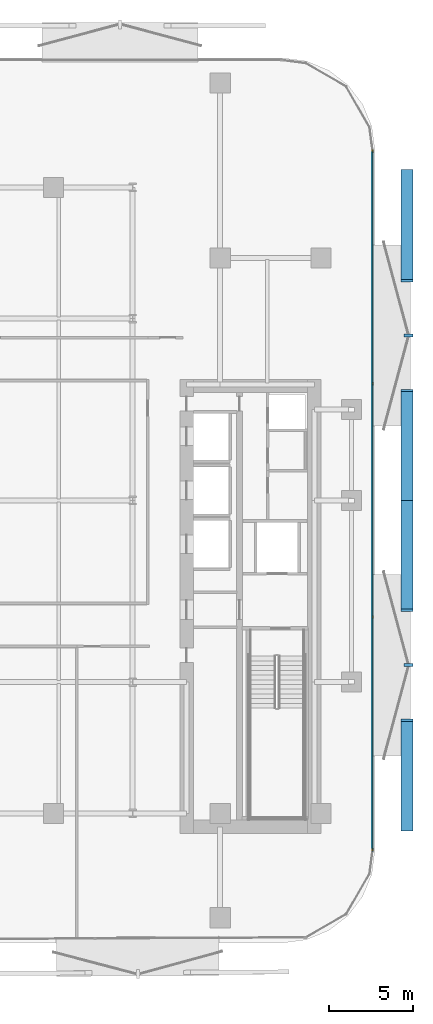
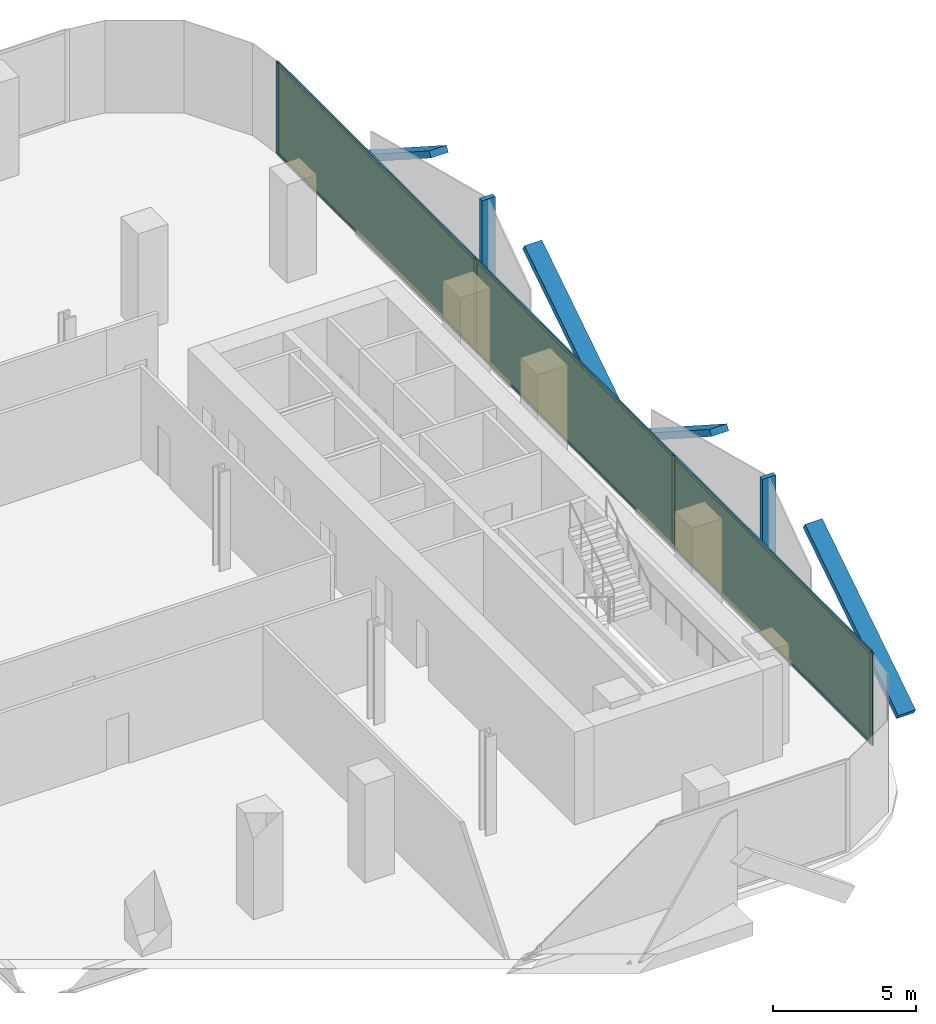
# One storey, part 8 of 14: 16 members, 3 plates, 1 curtain wall.
"""IFC4 building model written with IfcOpenShell, lengths in metres."""

from ifc_helpers import new_model, si_unit, direction, frame, frame_2d, origin, origin_2d, place, context, subcontext, project, spatial, rectangle, extrude, material, layer, layer_set, material_profile, profile_set, type_object, element, aggregate, save


model = new_model("IFC4")

# Units and contexts
model_context = context("Model", 3, precision=1e-05, world=origin(), true_north=direction((0.0, 1.0)))
body_context = subcontext(model_context, "Body", "Model", "MODEL_VIEW")
ifc_project = project(units=[si_unit("LENGTHUNIT", "METRE"), si_unit("AREAUNIT", "SQUARE_METRE"), si_unit("VOLUMEUNIT", "CUBIC_METRE"), si_unit("PLANEANGLEUNIT", "RADIAN"), si_unit("MASSUNIT", "GRAM", prefix="KILO")], contexts=[model_context])

# Member
ifc_material_1 = material(Name="Anodised Bronze Aluminium 6063-T6", Category="aluminium")
ifc_material_profile_1 = material_profile(ifc_material_1, rectangle(XDim=0.260009765625, YDim=0.699951171875, at=origin_2d()))
ifc_profile_set_1 = profile_set([ifc_material_profile_1], Name="Anodised Bronze Aluminium 6063-T6")
member_type_1 = type_object("IfcMemberType", Name="Bronze Diamond Solar-Screen Lattice Rib BDL-700", PredefinedType="MULLION", material=ifc_profile_set_1)
site_placement = place(None, origin())
building_placement = place(site_placement, origin())
storey_placement = place(building_placement, frame((0.0, 0.0, 93.199951171875)))
member_1_placement = place(storey_placement, frame((25.5, 19.5908203125, -0.1298828125), z_axis=(0.0, -0.841066075866, 0.540932395062), x_axis=(0.0, -0.540932395062, -0.841066075866)))
member_1 = element("IfcMember", 1, at=member_1_placement, type_object=member_type_1, Name="L21 Bronze Diamond Solar Screen Lattice Rib 119A", PredefinedType="MULLION", context=body_context, shape_type="SweptSolid", body=[
    extrude(rectangle(XDim=0.260009765625, YDim=0.699951171875, at=origin_2d()), origin(), (0.0, 0.0, 1.0), 7.76416015625),
])

member_2_placement = place(storey_placement, frame((25.5, 0.0, -0.1298828125), z_axis=(0.0, 0.841066075866, 0.540932395062), x_axis=(0.0, 0.540932395062, -0.841066075866)))
member_2 = element("IfcMember", 2, at=member_2_placement, type_object=member_type_1, Name="L21 Bronze Diamond Solar Screen Lattice Rib 119B", PredefinedType="MULLION", context=body_context, shape_type="SweptSolid", body=[
    extrude(rectangle(XDim=0.260009765625, YDim=0.699951171875, at=origin_2d()), origin(), (0.0, 0.0, 1.0), 7.76416015625),
])

member_3_placement = place(storey_placement, frame((25.5, 0.0, -0.1298828125), z_axis=(0.0, -0.841066075866, 0.540932395062), x_axis=(0.0, -0.540932395062, -0.841066075866)))
member_3 = element("IfcMember", 3, at=member_3_placement, type_object=member_type_1, Name="L21 Bronze Diamond Solar Screen Lattice Rib 120A", PredefinedType="MULLION", context=body_context, shape_type="SweptSolid", body=[
    extrude(rectangle(XDim=0.260009765625, YDim=0.699951171875, at=origin_2d()), origin(), (0.0, 0.0, 1.0), 7.76416015625),
])

member_4_placement = place(storey_placement, frame((25.5, -19.5908203125, -0.1298828125), z_axis=(0.0, 0.841066075866, 0.540932395062), x_axis=(0.0, 0.540932395062, -0.841066075866)))
member_4 = element("IfcMember", 4, at=member_4_placement, type_object=member_type_1, Name="L21 Bronze Diamond Solar Screen Lattice Rib 120B", PredefinedType="MULLION", context=body_context, shape_type="SweptSolid", body=[
    extrude(rectangle(XDim=0.260009765625, YDim=0.699951171875, at=origin_2d()), origin(), (0.0, 0.0, 1.0), 7.76416015625),
])

ifc_material_2 = material(Name="Anodised Bronze Aluminium 6063-T6", Category="aluminium")
ifc_material_profile_2 = material_profile(ifc_material_2, rectangle(XDim=0.179931640625, YDim=0.5400390625, at=origin_2d()))
ifc_profile_set_2 = profile_set([ifc_material_profile_2], Name="Anodised Bronze Aluminium 6063-T6")
member_type_2 = type_object("IfcMemberType", Name="Bronze Solar-Screen Vertical Fold Fin BSF-540", PredefinedType="MULLION", material=ifc_profile_set_2)
member_5_placement = place(storey_placement, frame((25.580078125, 9.79541015625, -0.1298828125), z_axis=(0.0, 0.0, 1.0), x_axis=(0.0, -1.0, 0.0)))
member_5 = element("IfcMember", 5, at=member_5_placement, type_object=member_type_2, Name="L21 Bronze Solar Screen Vertical Fin 119", PredefinedType="MULLION", context=body_context, shape_type="SweptSolid", body=[
    extrude(rectangle(XDim=0.179931640625, YDim=0.5400390625, at=origin_2d()), origin(), (0.0, 0.0, 1.0), 4.199951171875),
])

member_6_placement = place(storey_placement, frame((25.580078125, -9.79541015625, -0.1298828125), z_axis=(0.0, 0.0, 1.0), x_axis=(0.0, -1.0, 0.0)))
member_6 = element("IfcMember", 6, at=member_6_placement, type_object=member_type_2, Name="L21 Bronze Solar Screen Vertical Fin 120", PredefinedType="MULLION", context=body_context, shape_type="SweptSolid", body=[
    extrude(rectangle(XDim=0.179931640625, YDim=0.5400390625, at=origin_2d()), origin(), (0.0, 0.0, 1.0), 4.199951171875),
])

ifc_material_3 = material(Name="Anodised Bronze Aluminium 6063-T6", Category="aluminium")
ifc_material_profile_3 = material_profile(ifc_material_3, rectangle(XDim=0.06494140625, YDim=0.175048828125, at=origin_2d()))
ifc_profile_set_3 = profile_set([ifc_material_profile_3], Name="Anodised Bronze Aluminium 6063-T6")
member_type_3 = type_object("IfcMemberType", Name="CW-Z2 Mullion 65x175", PredefinedType="MULLION", material=ifc_profile_set_3)
member_7_placement = place(storey_placement, frame((23.4599609375, 20.75830078125, 0.0), z_axis=(0.0, 0.0, 1.0), x_axis=(1.0, 0.0, 0.0)))
member_7 = element("IfcMember", 7, at=member_7_placement, type_object=member_type_3, Name="CW-Z2 mullion 1", PredefinedType="MULLION", context=body_context, shape_type="SweptSolid", body=[
    extrude(rectangle(XDim=0.06494140625, YDim=0.175048828125, at=origin_2d()), origin(), (0.0, 0.0, 1.0), 3.93994140625),
])

member_8_placement = place(storey_placement, frame((23.4599609375, 6.93017578125, 0.0), z_axis=(0.0, 0.0, 1.0), x_axis=(1.0, 0.0, 0.0)))
member_8 = element("IfcMember", 8, at=member_8_placement, type_object=member_type_3, Name="CW-Z2 mullion 2", PredefinedType="MULLION", context=body_context, shape_type="SweptSolid", body=[
    extrude(rectangle(XDim=0.06494140625, YDim=0.175048828125, at=origin_2d()), origin(), (0.0, 0.0, 1.0), 3.93994140625),
])

member_9_placement = place(storey_placement, frame((23.4599609375, -6.93017578125, 0.0), z_axis=(0.0, 0.0, 1.0), x_axis=(1.0, 0.0, 0.0)))
member_9 = element("IfcMember", 9, at=member_9_placement, type_object=member_type_3, Name="CW-Z2 mullion 3", PredefinedType="MULLION", context=body_context, shape_type="SweptSolid", body=[
    extrude(rectangle(XDim=0.06494140625, YDim=0.175048828125, at=origin_2d()), origin(), (0.0, 0.0, 1.0), 3.93994140625),
])

member_10_placement = place(storey_placement, frame((23.4599609375, -20.75830078125, 0.0), z_axis=(0.0, 0.0, 1.0), x_axis=(1.0, 0.0, 0.0)))
member_10 = element("IfcMember", 10, at=member_10_placement, type_object=member_type_3, Name="CW-Z2 mullion 4", PredefinedType="MULLION", context=body_context, shape_type="SweptSolid", body=[
    extrude(rectangle(XDim=0.06494140625, YDim=0.175048828125, at=origin_2d()), origin(), (0.0, 0.0, 1.0), 3.93994140625),
])

ifc_material_4 = material(Name="Anodised Bronze Aluminium 6063-T6", Category="aluminium")
ifc_material_profile_4 = material_profile(ifc_material_4, rectangle(XDim=0.06494140625, YDim=0.135009765625, at=origin_2d()))
ifc_profile_set_4 = profile_set([ifc_material_profile_4], Name="Anodised Bronze Aluminium 6063-T6")
member_type_4 = type_object("IfcMemberType", Name="CW-Z2 Transom 65x135", PredefinedType="USERDEFINED", material=ifc_profile_set_4)
member_11_placement = place(storey_placement, frame((23.4599609375, 20.725830078125, 0.032470703125), z_axis=(0.0, -1.0, 0.0), x_axis=(1.0, 0.0, 0.0)))
member_11 = element("IfcMember", 11, at=member_11_placement, type_object=member_type_4, Name="CW-Z2 transom 1.1", ObjectType="TRANSOM", PredefinedType="USERDEFINED", context=body_context, shape_type="SweptSolid", body=[
    extrude(rectangle(XDim=0.06494140625, YDim=0.135009765625, at=origin_2d()), origin(), (0.0, 0.0, 1.0), 13.76318359375),
])

member_12_placement = place(storey_placement, frame((23.4599609375, 20.725830078125, 3.907470703125), z_axis=(0.0, -1.0, 0.0), x_axis=(1.0, 0.0, 0.0)))
member_12 = element("IfcMember", 12, at=member_12_placement, type_object=member_type_4, Name="CW-Z2 transom 1.2", ObjectType="TRANSOM", PredefinedType="USERDEFINED", context=body_context, shape_type="SweptSolid", body=[
    extrude(rectangle(XDim=0.06494140625, YDim=0.135009765625, at=origin_2d()), origin(), (0.0, 0.0, 1.0), 13.76318359375),
])

member_13_placement = place(storey_placement, frame((23.4599609375, 6.897705078125, 0.032470703125), z_axis=(0.0, -1.0, 0.0), x_axis=(1.0, 0.0, 0.0)))
member_13 = element("IfcMember", 13, at=member_13_placement, type_object=member_type_4, Name="CW-Z2 transom 2.1", ObjectType="TRANSOM", PredefinedType="USERDEFINED", context=body_context, shape_type="SweptSolid", body=[
    extrude(rectangle(XDim=0.06494140625, YDim=0.135009765625, at=origin_2d()), origin(), (0.0, 0.0, 1.0), 13.79541015625),
])

member_14_placement = place(storey_placement, frame((23.4599609375, 6.897705078125, 3.907470703125), z_axis=(0.0, -1.0, 0.0), x_axis=(1.0, 0.0, 0.0)))
member_14 = element("IfcMember", 14, at=member_14_placement, type_object=member_type_4, Name="CW-Z2 transom 2.2", ObjectType="TRANSOM", PredefinedType="USERDEFINED", context=body_context, shape_type="SweptSolid", body=[
    extrude(rectangle(XDim=0.06494140625, YDim=0.135009765625, at=origin_2d()), origin(), (0.0, 0.0, 1.0), 13.79541015625),
])

member_15_placement = place(storey_placement, frame((23.4599609375, -6.962646484375, 0.032470703125), z_axis=(0.0, -1.0, 0.0), x_axis=(1.0, 0.0, 0.0)))
member_15 = element("IfcMember", 15, at=member_15_placement, type_object=member_type_4, Name="CW-Z2 transom 3.1", ObjectType="TRANSOM", PredefinedType="USERDEFINED", context=body_context, shape_type="SweptSolid", body=[
    extrude(rectangle(XDim=0.06494140625, YDim=0.135009765625, at=origin_2d()), origin(), (0.0, 0.0, 1.0), 13.76318359375),
])

member_16_placement = place(storey_placement, frame((23.4599609375, -6.962646484375, 3.907470703125), z_axis=(0.0, -1.0, 0.0), x_axis=(1.0, 0.0, 0.0)))
member_16 = element("IfcMember", 16, at=member_16_placement, type_object=member_type_4, Name="CW-Z2 transom 3.2", ObjectType="TRANSOM", PredefinedType="USERDEFINED", context=body_context, shape_type="SweptSolid", body=[
    extrude(rectangle(XDim=0.06494140625, YDim=0.135009765625, at=origin_2d()), origin(), (0.0, 0.0, 1.0), 13.76318359375),
])

# Plate
ifc_material_5 = material(Name="Low-E Solar Control Laminated Glass", Category="glass")
ifc_layer_1 = layer(ifc_material_5, 0.028076171875, Name="Low-E Solar Control Laminated Glass")
ifc_layer_set_1 = layer_set([ifc_layer_1], Name="Low-E Solar Control Laminated Glass")
plate_type = type_object("IfcPlateType", Name="CW-Z2 Low-E Double Glazed Panel 28mm", PredefinedType="CURTAIN_PANEL", material=ifc_layer_set_1)
plate_1_placement = place(storey_placement, frame((23.4599609375, 13.84423828125, 0.06494140625), z_axis=(0.0, 0.0, 1.0), x_axis=(0.0, -1.0, 0.0)))
plate_1 = element("IfcPlate", 17, at=plate_1_placement, type_object=plate_type, Name="CW-Z2 panel 1.1", PredefinedType="CURTAIN_PANEL", context=body_context, shape_type="SweptSolid", body=[
    extrude(rectangle(XDim=13.762939453125, YDim=0.028076171875, at=origin_2d()), origin(), (0.0, 0.0, 1.0), 3.81005859375),
])

plate_2_placement = place(storey_placement, frame((23.4599609375, 0.0, 0.06494140625), z_axis=(0.0, 0.0, 1.0), x_axis=(0.0, -1.0, 0.0)))
plate_2 = element("IfcPlate", 18, at=plate_2_placement, type_object=plate_type, Name="CW-Z2 panel 2.1", PredefinedType="CURTAIN_PANEL", context=body_context, shape_type="SweptSolid", body=[
    extrude(rectangle(XDim=13.795654296875, YDim=0.028076171875, at=origin_2d()), origin(), (0.0, 0.0, 1.0), 3.81005859375),
])

plate_3_placement = place(storey_placement, frame((23.4599609375, -13.84423828125, 0.06494140625), z_axis=(0.0, 0.0, 1.0), x_axis=(0.0, -1.0, 0.0)))
plate_3 = element("IfcPlate", 19, at=plate_3_placement, type_object=plate_type, Name="CW-Z2 panel 3.1", PredefinedType="CURTAIN_PANEL", context=body_context, shape_type="SweptSolid", body=[
    extrude(rectangle(XDim=13.762939453125, YDim=0.028076171875, at=origin_2d()), origin(), (0.0, 0.0, 1.0), 3.81005859375),
])

# Site, building, storey
site = spatial("IfcSite", under=ifc_project, at=site_placement, CompositionType="ELEMENT")
building = spatial("IfcBuilding", under=site, at=building_placement, Name="Khairoan Windgate Tower", CompositionType="ELEMENT")
storey = spatial("IfcBuildingStorey", under=building, at=storey_placement, Name="L21", CompositionType="ELEMENT", Elevation=93.199951171875)

# Curtain wall
ifc_material_6 = material(Name="Anodised Bronze Aluminium 6063-T6", Category="aluminium")
ifc_layer_2 = layer(ifc_material_6, 0.175048828125, Name="Anodised Bronze Aluminium 6063-T6")
ifc_layer_set_2 = layer_set([ifc_layer_2], Name="Anodised Bronze Aluminium 6063-T6")
curtain_wall_type = type_object("IfcCurtainWallType", Name="Mid-Rise Office Unitised Curtain Wall CW-Z2", PredefinedType="NOTDEFINED", material=ifc_layer_set_2)
curtain_wall_placement = place(storey_placement, frame((23.4599609375, 20.790771484375, 0.0), z_axis=(0.0, 0.0, 1.0), x_axis=(0.0, -1.0, 0.0)))
curtain_wall = element("IfcCurtainWall", 20, at=curtain_wall_placement, inside=storey, type_object=curtain_wall_type, Name="L21 Unitised Curtain Wall 16", PredefinedType="NOTDEFINED", context=body_context, shape_type="SweptSolid", body=[
    extrude(rectangle(XDim=41.58154296875, YDim=0.010009765625, at=frame_2d((20.790771484375, 0.0))), origin(), (0.0, 0.0, 1.0), 3.93994140625),
])

aggregate(curtain_wall, [member_7, member_8, member_9, member_10, member_11, member_12, plate_1, member_13, member_14, plate_2, member_15, member_16, plate_3, member_1, member_2, member_5, member_3, member_4, member_6])

save(model, "model.ifc")
